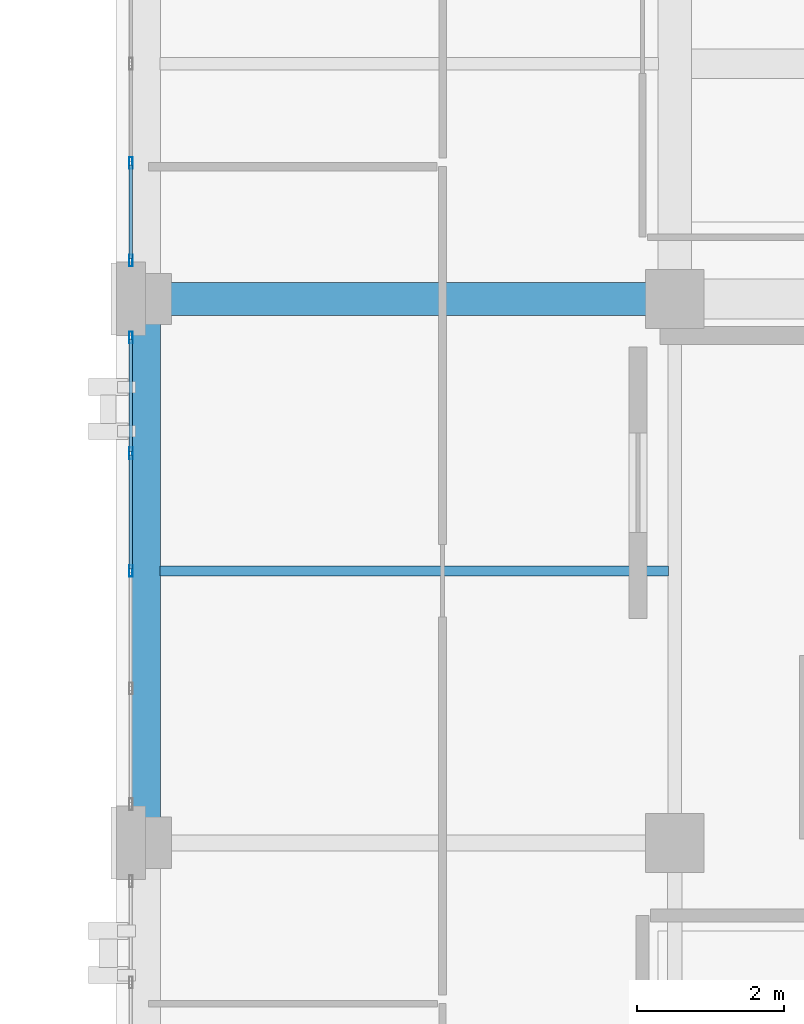
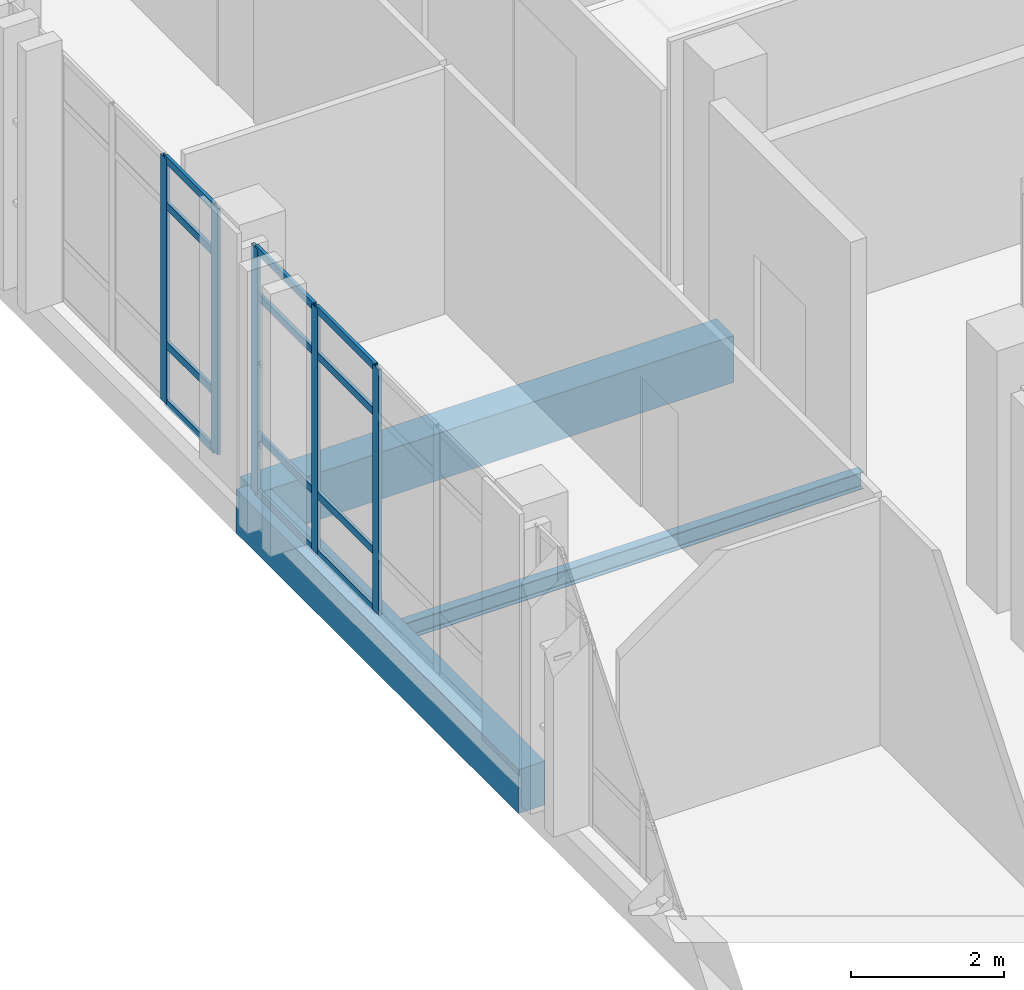
# One storey, part 97 of 158: 17 members, 3 beams, 2 elements without a shape of their own.
"""IFC4 building model written with IfcOpenShell, lengths in metres."""

from ifc_helpers import new_model, si_unit, direction, frame, origin, origin_2d, place, context, subcontext, project, spatial, rectangle, hollow_rectangle, i_section, extrude, material, layer, layer_set, material_profile, profile_set, type_object, element, aggregate, save


model = new_model("IFC4")

# Units and contexts
model_context = context("Model", 3, precision=1e-05, world=origin(), true_north=direction((0.0, 1.0)))
body_context = subcontext(model_context, "Body", "Model", "MODEL_VIEW")
ifc_project = project(units=[si_unit("LENGTHUNIT", "METRE"), si_unit("AREAUNIT", "SQUARE_METRE"), si_unit("VOLUMEUNIT", "CUBIC_METRE"), si_unit("PLANEANGLEUNIT", "RADIAN"), si_unit("MASSUNIT", "GRAM", prefix="KILO")], contexts=[model_context])

# Site, building, storey
site_placement = place(None, origin())
site = spatial("IfcSite", under=ifc_project, at=site_placement, CompositionType="ELEMENT")
building_placement = place(site_placement, origin())
building = spatial("IfcBuilding", under=site, at=building_placement, Name="Qalavern Law Courts", CompositionType="ELEMENT")
storey_placement = place(building_placement, frame((0.0, 0.0, 18.60009765625)))
storey = spatial("IfcBuildingStorey", under=building, at=storey_placement, Name="L04", CompositionType="ELEMENT", Elevation=18.60009765625)

# Curtain wall, members
ifc_material_1 = material(Name="Anodised aluminium and insulated glazing", Category="aluminium")
ifc_layer = layer(ifc_material_1, 0.159912109375)
ifc_layer_set = layer_set([ifc_layer], Name="Anodised aluminium and insulated glazing")
curtain_wall_type = type_object("IfcCurtainWallType", Name="ENV-CW-CHAMB", PredefinedType="USERDEFINED", material=ifc_layer_set)
curtain_wall_1_placement = place(storey_placement, origin())
curtain_wall_1 = element("IfcCurtainWall", 1, at=curtain_wall_1_placement, inside=storey, type_object=curtain_wall_type, Name="V4 unitised curtain wall L04 west 2", ObjectType="UNITISED CURTAIN WALL", PredefinedType="USERDEFINED")
ifc_material_2 = material(Name="Anodised aluminium", Category="aluminium")
ifc_material_profile_1 = material_profile(ifc_material_2, hollow_rectangle(XDim=0.048095703125, YDim=0.159912109375, WallThickness=0.00390625, at=origin_2d()), Name="ALU MULLION 48x160")
ifc_profile_set_1 = profile_set([ifc_material_profile_1], Name="Anodised aluminium")
member_type_1 = type_object("IfcMemberType", Name="ENV-CWM-48x160", PredefinedType="MULLION", material=ifc_profile_set_1)
member_1_placement = place(storey_placement, frame((84.39990234375, 74.64990234375, 0.0), z_axis=(0.0, 0.0, 1.0), x_axis=(1.0, 0.0, 0.0)))
member_1 = element("IfcMember", 2, at=member_1_placement, type_object=member_type_1, Name="CW-04 mullion 4", PredefinedType="MULLION", context=body_context, shape_type="SweptSolid", body=[
    extrude(hollow_rectangle(XDim=0.048095703125, YDim=0.159912109375, WallThickness=0.00390625, at=origin_2d()), origin(), (0.0, 0.0, 1.0), 3.9248046875),
])
member_2_placement = place(storey_placement, frame((84.39990234375, 73.323974609375, 0.0), z_axis=(0.0, 0.0, 1.0), x_axis=(1.0, 0.0, 0.0)))
member_2 = element("IfcMember", 3, at=member_2_placement, type_object=member_type_1, Name="CW-04 mullion 5", PredefinedType="MULLION", context=body_context, shape_type="SweptSolid", body=[
    extrude(hollow_rectangle(XDim=0.048095703125, YDim=0.159912109375, WallThickness=0.00390625, at=origin_2d()), origin(), (0.0, 0.0, 1.0), 3.9248046875),
])

curtain_wall_2_placement = place(storey_placement, origin())
curtain_wall_2 = element("IfcCurtainWall", 4, at=curtain_wall_2_placement, inside=storey, type_object=curtain_wall_type, Name="V4 unitised curtain wall L04 west 3", ObjectType="UNITISED CURTAIN WALL", PredefinedType="USERDEFINED")
member_3_placement = place(storey_placement, frame((84.39990234375, 72.27587890625, 0.0), z_axis=(0.0, 0.0, 1.0), x_axis=(1.0, 0.0, 0.0)))
member_3 = element("IfcMember", 5, at=member_3_placement, type_object=member_type_1, Name="CW-04 mullion 1", PredefinedType="MULLION", context=body_context, shape_type="SweptSolid", body=[
    extrude(hollow_rectangle(XDim=0.048095703125, YDim=0.159912109375, WallThickness=0.00390625, at=origin_2d()), origin(), (0.0, 0.0, 1.0), 3.9248046875),
])
member_4_placement = place(storey_placement, frame((84.39990234375, 70.699951171875, 0.0), z_axis=(0.0, 0.0, 1.0), x_axis=(1.0, 0.0, 0.0)))
member_4 = element("IfcMember", 6, at=member_4_placement, type_object=member_type_1, Name="CW-04 mullion 2", PredefinedType="MULLION", context=body_context, shape_type="SweptSolid", body=[
    extrude(hollow_rectangle(XDim=0.048095703125, YDim=0.159912109375, WallThickness=0.00390625, at=origin_2d()), origin(), (0.0, 0.0, 1.0), 3.9248046875),
])
member_5_placement = place(storey_placement, frame((84.39990234375, 69.10009765625, 0.0), z_axis=(0.0, 0.0, 1.0), x_axis=(1.0, 0.0, 0.0)))
member_5 = element("IfcMember", 7, at=member_5_placement, type_object=member_type_1, Name="CW-04 mullion 3", PredefinedType="MULLION", context=body_context, shape_type="SweptSolid", body=[
    extrude(hollow_rectangle(XDim=0.048095703125, YDim=0.159912109375, WallThickness=0.00390625, at=origin_2d()), origin(), (0.0, 0.0, 1.0), 3.9248046875),
])

# Member
ifc_material_profile_2 = material_profile(ifc_material_2, hollow_rectangle(XDim=0.048095703125, YDim=0.1201171875, WallThickness=0.00390625, at=origin_2d()), Name="ALU TRANSOM 48x120")
ifc_profile_set_2 = profile_set([ifc_material_profile_2], Name="Anodised aluminium")
member_type_2 = type_object("IfcMemberType", Name="ENV-CWT-48x120", PredefinedType="USERDEFINED", material=ifc_profile_set_2)
member_6_placement = place(storey_placement, frame((84.39990234375, 74.6259765625, 0.02392578125), z_axis=(0.0, -1.0, 0.0), x_axis=(1.0, 0.0, 0.0)))
member_6 = element("IfcMember", 8, at=member_6_placement, type_object=member_type_2, Name="CW-04 transom 4.1", ObjectType="TRANSOM", PredefinedType="USERDEFINED", context=body_context, shape_type="SweptSolid", body=[
    extrude(hollow_rectangle(XDim=0.048095703125, YDim=0.1201171875, WallThickness=0.00390625, at=origin_2d()), origin(), (0.0, 0.0, 1.0), 1.278076171875),
])

member_7_placement = place(storey_placement, frame((84.39990234375, 74.6259765625, 0.949951171875), z_axis=(0.0, -1.0, 0.0), x_axis=(1.0, 0.0, 0.0)))
member_7 = element("IfcMember", 9, at=member_7_placement, type_object=member_type_2, Name="CW-04 transom 4.2", ObjectType="TRANSOM", PredefinedType="USERDEFINED", context=body_context, shape_type="SweptSolid", body=[
    extrude(hollow_rectangle(XDim=0.048095703125, YDim=0.1201171875, WallThickness=0.00390625, at=origin_2d()), origin(), (0.0, 0.0, 1.0), 1.278076171875),
])

member_8_placement = place(storey_placement, frame((84.39990234375, 74.6259765625, 3.1748046875), z_axis=(0.0, -1.0, 0.0), x_axis=(1.0, 0.0, 0.0)))
member_8 = element("IfcMember", 10, at=member_8_placement, type_object=member_type_2, Name="CW-04 transom 4.3", ObjectType="TRANSOM", PredefinedType="USERDEFINED", context=body_context, shape_type="SweptSolid", body=[
    extrude(hollow_rectangle(XDim=0.048095703125, YDim=0.1201171875, WallThickness=0.00390625, at=origin_2d()), origin(), (0.0, 0.0, 1.0), 1.278076171875),
])

member_9_placement = place(storey_placement, frame((84.39990234375, 74.6259765625, 3.90087890625), z_axis=(0.0, -1.0, 0.0), x_axis=(1.0, 0.0, 0.0)))
member_9 = element("IfcMember", 11, at=member_9_placement, type_object=member_type_2, Name="CW-04 transom 4.4", ObjectType="TRANSOM", PredefinedType="USERDEFINED", context=body_context, shape_type="SweptSolid", body=[
    extrude(hollow_rectangle(XDim=0.048095703125, YDim=0.1201171875, WallThickness=0.00390625, at=origin_2d()), origin(), (0.0, 0.0, 1.0), 1.278076171875),
])

aggregate(curtain_wall_1, [member_1, member_2, member_6, member_7, member_8, member_9])

member_10_placement = place(storey_placement, frame((84.39990234375, 72.251953125, 0.02392578125), z_axis=(0.0, -1.0, 0.0), x_axis=(1.0, 0.0, 0.0)))
member_10 = element("IfcMember", 12, at=member_10_placement, type_object=member_type_2, Name="CW-04 transom 1.1", ObjectType="TRANSOM", PredefinedType="USERDEFINED", context=body_context, shape_type="SweptSolid", body=[
    extrude(hollow_rectangle(XDim=0.048095703125, YDim=0.1201171875, WallThickness=0.00390625, at=origin_2d()), origin(), (0.0, 0.0, 1.0), 1.52783203125),
])

member_11_placement = place(storey_placement, frame((84.39990234375, 72.251953125, 0.949951171875), z_axis=(0.0, -1.0, 0.0), x_axis=(1.0, 0.0, 0.0)))
member_11 = element("IfcMember", 13, at=member_11_placement, type_object=member_type_2, Name="CW-04 transom 1.2", ObjectType="TRANSOM", PredefinedType="USERDEFINED", context=body_context, shape_type="SweptSolid", body=[
    extrude(hollow_rectangle(XDim=0.048095703125, YDim=0.1201171875, WallThickness=0.00390625, at=origin_2d()), origin(), (0.0, 0.0, 1.0), 1.52783203125),
])

member_12_placement = place(storey_placement, frame((84.39990234375, 72.251953125, 3.1748046875), z_axis=(0.0, -1.0, 0.0), x_axis=(1.0, 0.0, 0.0)))
member_12 = element("IfcMember", 14, at=member_12_placement, type_object=member_type_2, Name="CW-04 transom 1.3", ObjectType="TRANSOM", PredefinedType="USERDEFINED", context=body_context, shape_type="SweptSolid", body=[
    extrude(hollow_rectangle(XDim=0.048095703125, YDim=0.1201171875, WallThickness=0.00390625, at=origin_2d()), origin(), (0.0, 0.0, 1.0), 1.52783203125),
])

member_13_placement = place(storey_placement, frame((84.39990234375, 72.251953125, 3.90087890625), z_axis=(0.0, -1.0, 0.0), x_axis=(1.0, 0.0, 0.0)))
member_13 = element("IfcMember", 15, at=member_13_placement, type_object=member_type_2, Name="CW-04 transom 1.4", ObjectType="TRANSOM", PredefinedType="USERDEFINED", context=body_context, shape_type="SweptSolid", body=[
    extrude(hollow_rectangle(XDim=0.048095703125, YDim=0.1201171875, WallThickness=0.00390625, at=origin_2d()), origin(), (0.0, 0.0, 1.0), 1.52783203125),
])

member_14_placement = place(storey_placement, frame((84.39990234375, 70.676025390625, 0.02392578125), z_axis=(0.0, -1.0, 0.0), x_axis=(1.0, 0.0, 0.0)))
member_14 = element("IfcMember", 16, at=member_14_placement, type_object=member_type_2, Name="CW-04 transom 2.1", ObjectType="TRANSOM", PredefinedType="USERDEFINED", context=body_context, shape_type="SweptSolid", body=[
    extrude(hollow_rectangle(XDim=0.048095703125, YDim=0.1201171875, WallThickness=0.00390625, at=origin_2d()), origin(), (0.0, 0.0, 1.0), 1.552001953125),
])

member_15_placement = place(storey_placement, frame((84.39990234375, 70.676025390625, 0.949951171875), z_axis=(0.0, -1.0, 0.0), x_axis=(1.0, 0.0, 0.0)))
member_15 = element("IfcMember", 17, at=member_15_placement, type_object=member_type_2, Name="CW-04 transom 2.2", ObjectType="TRANSOM", PredefinedType="USERDEFINED", context=body_context, shape_type="SweptSolid", body=[
    extrude(hollow_rectangle(XDim=0.048095703125, YDim=0.1201171875, WallThickness=0.00390625, at=origin_2d()), origin(), (0.0, 0.0, 1.0), 1.552001953125),
])

member_16_placement = place(storey_placement, frame((84.39990234375, 70.676025390625, 3.1748046875), z_axis=(0.0, -1.0, 0.0), x_axis=(1.0, 0.0, 0.0)))
member_16 = element("IfcMember", 18, at=member_16_placement, type_object=member_type_2, Name="CW-04 transom 2.3", ObjectType="TRANSOM", PredefinedType="USERDEFINED", context=body_context, shape_type="SweptSolid", body=[
    extrude(hollow_rectangle(XDim=0.048095703125, YDim=0.1201171875, WallThickness=0.00390625, at=origin_2d()), origin(), (0.0, 0.0, 1.0), 1.552001953125),
])

member_17_placement = place(storey_placement, frame((84.39990234375, 70.676025390625, 3.90087890625), z_axis=(0.0, -1.0, 0.0), x_axis=(1.0, 0.0, 0.0)))
member_17 = element("IfcMember", 19, at=member_17_placement, type_object=member_type_2, Name="CW-04 transom 2.4", ObjectType="TRANSOM", PredefinedType="USERDEFINED", context=body_context, shape_type="SweptSolid", body=[
    extrude(hollow_rectangle(XDim=0.048095703125, YDim=0.1201171875, WallThickness=0.00390625, at=origin_2d()), origin(), (0.0, 0.0, 1.0), 1.552001953125),
])

aggregate(curtain_wall_2, [member_3, member_4, member_5, member_10, member_11, member_12, member_13, member_14, member_15, member_16, member_17])

# Beams
ifc_material_3 = material(Name="Concrete C40/50", Category="concrete")
ifc_material_profile_3 = material_profile(ifc_material_3, rectangle(XDim=0.449951171875, YDim=0.75, at=origin_2d()), Name="RC 450x750")
ifc_profile_set_3 = profile_set([ifc_material_profile_3], Name="Concrete C40/50")
beam_type_1 = type_object("IfcBeamType", Name="STR-BM-RC450x750", PredefinedType="BEAM", material=ifc_profile_set_3)
beam_1_placement = place(storey_placement, frame((84.60009765625, 72.800048828125, -0.655029296875), z_axis=(1.0, 0.0, 0.0), x_axis=(0.0, 1.0, 0.0)))
element("IfcBeam", 20, at=beam_1_placement, inside=storey, type_object=beam_type_1, Name="V4 X-beam 5-1 L04", PredefinedType="BEAM", context=body_context, shape_type="SweptSolid", body=[
    extrude(rectangle(XDim=0.449951171875, YDim=0.75, at=origin_2d()), origin(), (0.0, 0.0, 1.0), 7.199951171875),
])
ifc_material_4 = material(Name="Steel S355", Category="steel")
ifc_material_profile_4 = material_profile(ifc_material_4, i_section(OverallWidth=0.135009765625, OverallDepth=0.27001953125, WebThickness=0.006591796875, FlangeThickness=0.01025390625, FilletRadius=0.014892578125, at=origin_2d()), Name="IPE 270")
ifc_profile_set_4 = profile_set([ifc_material_profile_4], Name="Steel S355")
beam_type_2 = type_object("IfcBeamType", Name="STR-JST-IPE270", PredefinedType="JOIST", material=ifc_profile_set_4)
beam_2_placement = place(storey_placement, frame((84.798095703125, 69.10009765625, -0.4150390625), z_axis=(1.0, 0.0, 0.0), x_axis=(0.0, 1.0, 0.0)))
element("IfcBeam", 21, at=beam_2_placement, inside=storey, type_object=beam_type_2, Name="V4 secondary joist 1.4.1 L04", PredefinedType="JOIST", context=body_context, shape_type="SweptSolid", body=[
    extrude(i_section(OverallWidth=0.135009765625, OverallDepth=0.27001953125, WebThickness=0.006591796875, FlangeThickness=0.01025390625, FilletRadius=0.014892578125, at=origin_2d()), origin(), (0.0, 0.0, 1.0), 6.913818359375),
])
ifc_material_profile_5 = material_profile(ifc_material_3, rectangle(XDim=0.39990234375, YDim=0.699951171875, at=origin_2d()), Name="RC 400x700")
ifc_profile_set_5 = profile_set([ifc_material_profile_5], Name="Concrete C40/50")
beam_type_3 = type_object("IfcBeamType", Name="STR-SP-RC400x700", PredefinedType="SPANDREL", material=ifc_profile_set_5)
beam_3_placement = place(storey_placement, frame((84.60009765625, 65.39990234375, -0.630126953125), z_axis=(0.0, 1.0, 0.0), x_axis=(-1.0, 0.0, 0.0)))
element("IfcBeam", 22, at=beam_3_placement, inside=storey, type_object=beam_type_3, Name="V4 Y-beam 1-4 L04", PredefinedType="SPANDREL", context=body_context, shape_type="SweptSolid", body=[
    extrude(rectangle(XDim=0.39990234375, YDim=0.699951171875, at=origin_2d()), origin(), (0.0, 0.0, 1.0), 7.400146484375),
])

save(model, "model.ifc")
